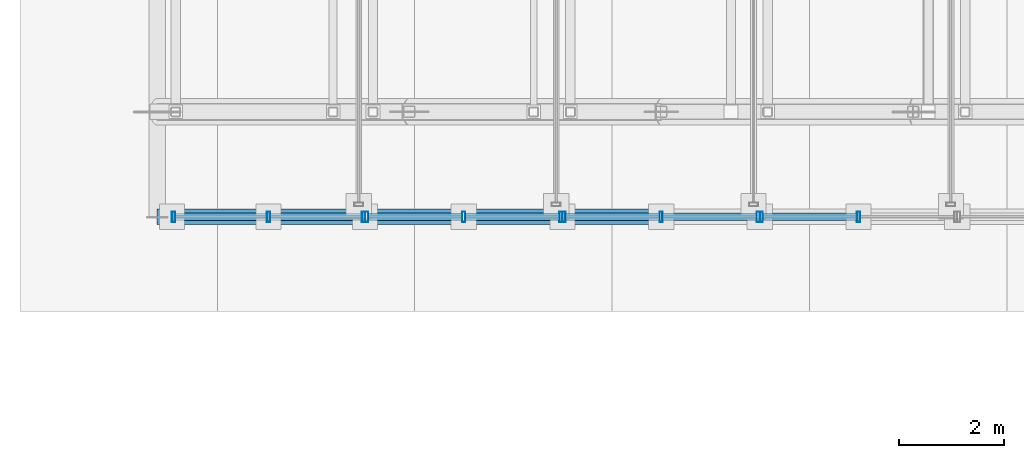
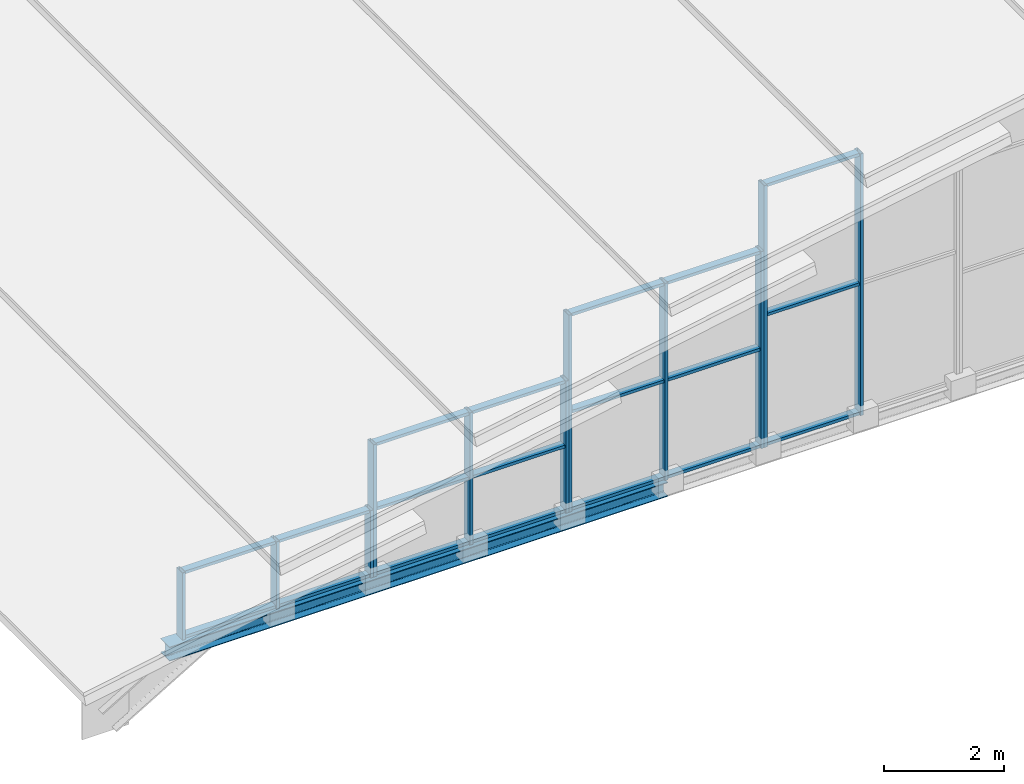
# One storey, part 1 of 117: 30 members, 1 beam, 4 elements without a shape of their own.
"""IFC4 building model written with IfcOpenShell, lengths in metres."""

from ifc_helpers import new_model, si_unit, direction, frame, origin, origin_2d, place, context, subcontext, project, spatial, hollow_rectangle, i_section, extrude, material, material_profile, profile_set, type_object, element, aggregate, save


model = new_model("IFC4")

# Units and contexts
model_context = context("Model", 3, precision=1e-05, world=origin(), true_north=direction((0.0, 1.0)))
body_context = subcontext(model_context, "Body", "Model", "MODEL_VIEW")
ifc_project = project(units=[si_unit("LENGTHUNIT", "METRE"), si_unit("AREAUNIT", "SQUARE_METRE"), si_unit("VOLUMEUNIT", "CUBIC_METRE"), si_unit("PLANEANGLEUNIT", "RADIAN"), si_unit("MASSUNIT", "GRAM", prefix="KILO")], contexts=[model_context])

# Site, building, storey
site_placement = place(None, origin())
site = spatial("IfcSite", under=ifc_project, at=site_placement, CompositionType="ELEMENT")
building_placement = place(site_placement, origin())
building = spatial("IfcBuilding", under=site, at=building_placement, Name="Merenkruunu Market Hall", CompositionType="ELEMENT")
storey_placement = place(building_placement, frame((0.0, 0.0, 22.800048828125)))
storey = spatial("IfcBuildingStorey", under=building, at=storey_placement, Name="RF", CompositionType="ELEMENT", Elevation=22.800048828125)

# Curtain wall, members
ifc_material_1 = material(Name="Powder-coated aluminium", Category="aluminium")
curtain_wall_type_1 = type_object("IfcCurtainWallType", Name="Clerestory Curtain Band CL03", PredefinedType="USERDEFINED", material=ifc_material_1)
curtain_wall_1_placement = place(storey_placement, origin())
curtain_wall_1 = element("IfcCurtainWall", 1, at=curtain_wall_1_placement, inside=storey, type_object=curtain_wall_type_1, Name="CW-RF-CWM03-037", ObjectType="CLERESTORY_BAND", PredefinedType="USERDEFINED")
ifc_material_profile_1 = material_profile(ifc_material_1, hollow_rectangle(XDim=0.06005859375, YDim=0.199951171875, WallThickness=0.0048828125, at=origin_2d()), Name="ALU 60x200x5")
ifc_profile_set_1 = profile_set([ifc_material_profile_1], Name="Powder-coated aluminium")
member_type_1 = type_object("IfcMemberType", Name="Curtain Wall Mullion CWM03", PredefinedType="MULLION", material=ifc_profile_set_1)
member_1_placement = place(storey_placement, frame((3.929931640625, 15.60009765625, -8.68994140625), z_axis=(0.0, 0.0, 1.0), x_axis=(-1.0, 0.0, 0.0)))
member_1 = element("IfcMember", 2, at=member_1_placement, type_object=member_type_1, Name="CL03 mullion 1", PredefinedType="MULLION", context=body_context, shape_type="SweptSolid", body=[
    extrude(hollow_rectangle(XDim=0.06005859375, YDim=0.199951171875, WallThickness=0.0048828125, at=origin_2d()), origin(), (0.0, 0.0, 1.0), 1.369873046875),
])
member_2_placement = place(storey_placement, frame((2.1201171875, 15.60009765625, -8.68994140625), z_axis=(0.0, 0.0, 1.0), x_axis=(-1.0, 0.0, 0.0)))
member_2 = element("IfcMember", 3, at=member_2_placement, type_object=member_type_1, Name="CL03 mullion 2", PredefinedType="MULLION", context=body_context, shape_type="SweptSolid", body=[
    extrude(hollow_rectangle(XDim=0.06005859375, YDim=0.199951171875, WallThickness=0.0048828125, at=origin_2d()), origin(), (0.0, 0.0, 1.0), 1.369873046875),
])
member_3_placement = place(storey_placement, frame((0.31005859375, 15.60009765625, -8.68994140625), z_axis=(0.0, 0.0, 1.0), x_axis=(-1.0, 0.0, 0.0)))
member_3 = element("IfcMember", 4, at=member_3_placement, type_object=member_type_1, Name="CL03 mullion 3", PredefinedType="MULLION", context=body_context, shape_type="SweptSolid", body=[
    extrude(hollow_rectangle(XDim=0.06005859375, YDim=0.199951171875, WallThickness=0.0048828125, at=origin_2d()), origin(), (0.0, 0.0, 1.0), 1.369873046875),
])

curtain_wall_type_2 = type_object("IfcCurtainWallType", Name="Glazed Curtain Wall CW17", PredefinedType="USERDEFINED", material=ifc_material_1)
curtain_wall_2_placement = place(storey_placement, origin())
curtain_wall_2 = element("IfcCurtainWall", 5, at=curtain_wall_2_placement, inside=storey, type_object=curtain_wall_type_2, Name="CW-RF-CWM03-038", ObjectType="GLAZED_FACADE", PredefinedType="USERDEFINED")
member_4_placement = place(storey_placement, frame((7.68994140625, 15.60009765625, -8.68994140625), z_axis=(0.0, 0.0, 1.0), x_axis=(-1.0, 0.0, 0.0)))
member_4 = element("IfcMember", 6, at=member_4_placement, type_object=member_type_1, Name="CW17 mullion 1", PredefinedType="MULLION", context=body_context, shape_type="SweptSolid", body=[
    extrude(hollow_rectangle(XDim=0.06005859375, YDim=0.199951171875, WallThickness=0.0048828125, at=origin_2d()), origin(), (0.0, 0.0, 1.0), 2.68994140625),
])
member_5_placement = place(storey_placement, frame((5.840087890625, 15.60009765625, -8.68994140625), z_axis=(0.0, 0.0, 1.0), x_axis=(-1.0, 0.0, 0.0)))
member_5 = element("IfcMember", 7, at=member_5_placement, type_object=member_type_1, Name="CW17 mullion 2", PredefinedType="MULLION", context=body_context, shape_type="SweptSolid", body=[
    extrude(hollow_rectangle(XDim=0.06005859375, YDim=0.199951171875, WallThickness=0.0048828125, at=origin_2d()), origin(), (0.0, 0.0, 1.0), 2.68994140625),
])
member_6_placement = place(storey_placement, frame((3.989990234375, 15.60009765625, -8.68994140625), z_axis=(0.0, 0.0, 1.0), x_axis=(-1.0, 0.0, 0.0)))
member_6 = element("IfcMember", 8, at=member_6_placement, type_object=member_type_1, Name="CW17 mullion 3", PredefinedType="MULLION", context=body_context, shape_type="SweptSolid", body=[
    extrude(hollow_rectangle(XDim=0.06005859375, YDim=0.199951171875, WallThickness=0.0048828125, at=origin_2d()), origin(), (0.0, 0.0, 1.0), 2.68994140625),
])

curtain_wall_3_placement = place(storey_placement, origin())
curtain_wall_3 = element("IfcCurtainWall", 9, at=curtain_wall_3_placement, inside=storey, type_object=curtain_wall_type_2, Name="CW-RF-CWM03-039", ObjectType="GLAZED_FACADE", PredefinedType="USERDEFINED")
member_7_placement = place(storey_placement, frame((11.449951171875, 15.60009765625, -8.68994140625), z_axis=(0.0, 0.0, 1.0), x_axis=(-1.0, 0.0, 0.0)))
member_7 = element("IfcMember", 10, at=member_7_placement, type_object=member_type_1, Name="CW17 mullion 1", PredefinedType="MULLION", context=body_context, shape_type="SweptSolid", body=[
    extrude(hollow_rectangle(XDim=0.06005859375, YDim=0.199951171875, WallThickness=0.0048828125, at=origin_2d()), origin(), (0.0, 0.0, 1.0), 4.010009765625),
])
member_8_placement = place(storey_placement, frame((9.60009765625, 15.60009765625, -8.68994140625), z_axis=(0.0, 0.0, 1.0), x_axis=(-1.0, 0.0, 0.0)))
member_8 = element("IfcMember", 11, at=member_8_placement, type_object=member_type_1, Name="CW17 mullion 2", PredefinedType="MULLION", context=body_context, shape_type="SweptSolid", body=[
    extrude(hollow_rectangle(XDim=0.06005859375, YDim=0.199951171875, WallThickness=0.0048828125, at=origin_2d()), origin(), (0.0, 0.0, 1.0), 4.010009765625),
])
member_9_placement = place(storey_placement, frame((7.75, 15.60009765625, -8.68994140625), z_axis=(0.0, 0.0, 1.0), x_axis=(-1.0, 0.0, 0.0)))
member_9 = element("IfcMember", 12, at=member_9_placement, type_object=member_type_1, Name="CW17 mullion 3", PredefinedType="MULLION", context=body_context, shape_type="SweptSolid", body=[
    extrude(hollow_rectangle(XDim=0.06005859375, YDim=0.199951171875, WallThickness=0.0048828125, at=origin_2d()), origin(), (0.0, 0.0, 1.0), 4.010009765625),
])

curtain_wall_4_placement = place(storey_placement, origin())
curtain_wall_4 = element("IfcCurtainWall", 13, at=curtain_wall_4_placement, inside=storey, type_object=curtain_wall_type_2, Name="CW-RF-CWM03-040", ObjectType="GLAZED_FACADE", PredefinedType="USERDEFINED")
member_10_placement = place(storey_placement, frame((13.360107421875, 15.60009765625, -8.68994140625), z_axis=(0.0, 0.0, 1.0), x_axis=(-1.0, 0.0, 0.0)))
member_10 = element("IfcMember", 14, at=member_10_placement, type_object=member_type_1, Name="CW17 mullion 2", PredefinedType="MULLION", context=body_context, shape_type="SweptSolid", body=[
    extrude(hollow_rectangle(XDim=0.06005859375, YDim=0.199951171875, WallThickness=0.0048828125, at=origin_2d()), origin(), (0.0, 0.0, 1.0), 5.329833984375),
])
member_11_placement = place(storey_placement, frame((11.510009765625, 15.60009765625, -8.68994140625), z_axis=(0.0, 0.0, 1.0), x_axis=(-1.0, 0.0, 0.0)))
member_11 = element("IfcMember", 15, at=member_11_placement, type_object=member_type_1, Name="CW17 mullion 3", PredefinedType="MULLION", context=body_context, shape_type="SweptSolid", body=[
    extrude(hollow_rectangle(XDim=0.06005859375, YDim=0.199951171875, WallThickness=0.0048828125, at=origin_2d()), origin(), (0.0, 0.0, 1.0), 5.329833984375),
])

# Member
ifc_material_profile_2 = material_profile(ifc_material_1, hollow_rectangle(XDim=0.06005859375, YDim=0.139892578125, WallThickness=0.00390625, at=origin_2d()), Name="ALU 60x140x4")
ifc_profile_set_2 = profile_set([ifc_material_profile_2], Name="Powder-coated aluminium")
member_type_2 = type_object("IfcMemberType", Name="Curtain Wall Transom CWT02", PredefinedType="USERDEFINED", material=ifc_profile_set_2)
member_12_placement = place(storey_placement, frame((3.89990234375, 15.60009765625, -8.66015625), z_axis=(-1.0, 0.0, 0.0), x_axis=(0.0, 0.0, 1.0)))
member_12 = element("IfcMember", 16, at=member_12_placement, type_object=member_type_2, Name="CL03 transom 1.1", ObjectType="TRANSOM", PredefinedType="USERDEFINED", context=body_context, shape_type="SweptSolid", body=[
    extrude(hollow_rectangle(XDim=0.06005859375, YDim=0.139892578125, WallThickness=0.00390625, at=origin_2d()), origin(), (0.0, 0.0, 1.0), 1.75),
])

member_13_placement = place(storey_placement, frame((3.89990234375, 15.60009765625, -7.35009765625), z_axis=(-1.0, 0.0, 0.0), x_axis=(0.0, 0.0, 1.0)))
member_13 = element("IfcMember", 17, at=member_13_placement, type_object=member_type_2, Name="CL03 transom 1.2", ObjectType="TRANSOM", PredefinedType="USERDEFINED", context=body_context, shape_type="SweptSolid", body=[
    extrude(hollow_rectangle(XDim=0.06005859375, YDim=0.139892578125, WallThickness=0.00390625, at=origin_2d()), origin(), (0.0, 0.0, 1.0), 1.75),
])

member_14_placement = place(storey_placement, frame((2.090087890625, 15.60009765625, -8.66015625), z_axis=(-1.0, 0.0, 0.0), x_axis=(0.0, 0.0, 1.0)))
member_14 = element("IfcMember", 18, at=member_14_placement, type_object=member_type_2, Name="CL03 transom 2.1", ObjectType="TRANSOM", PredefinedType="USERDEFINED", context=body_context, shape_type="SweptSolid", body=[
    extrude(hollow_rectangle(XDim=0.06005859375, YDim=0.139892578125, WallThickness=0.00390625, at=origin_2d()), origin(), (0.0, 0.0, 1.0), 1.75),
])

member_15_placement = place(storey_placement, frame((2.090087890625, 15.60009765625, -7.35009765625), z_axis=(-1.0, 0.0, 0.0), x_axis=(0.0, 0.0, 1.0)))
member_15 = element("IfcMember", 19, at=member_15_placement, type_object=member_type_2, Name="CL03 transom 2.2", ObjectType="TRANSOM", PredefinedType="USERDEFINED", context=body_context, shape_type="SweptSolid", body=[
    extrude(hollow_rectangle(XDim=0.06005859375, YDim=0.139892578125, WallThickness=0.00390625, at=origin_2d()), origin(), (0.0, 0.0, 1.0), 1.75),
])

aggregate(curtain_wall_1, [member_1, member_2, member_3, member_12, member_13, member_14, member_15])

member_16_placement = place(storey_placement, frame((7.659912109375, 15.60009765625, -8.66015625), z_axis=(-1.0, 0.0, 0.0), x_axis=(0.0, 0.0, 1.0)))
member_16 = element("IfcMember", 20, at=member_16_placement, type_object=member_type_2, Name="CW17 transom 1.1", ObjectType="TRANSOM", PredefinedType="USERDEFINED", context=body_context, shape_type="SweptSolid", body=[
    extrude(hollow_rectangle(XDim=0.06005859375, YDim=0.139892578125, WallThickness=0.00390625, at=origin_2d()), origin(), (0.0, 0.0, 1.0), 1.789794921875),
])

member_17_placement = place(storey_placement, frame((7.659912109375, 15.60009765625, -7.344970703125), z_axis=(-1.0, 0.0, 0.0), x_axis=(0.0, 0.0, 1.0)))
member_17 = element("IfcMember", 21, at=member_17_placement, type_object=member_type_2, Name="CW17 transom 1.2", ObjectType="TRANSOM", PredefinedType="USERDEFINED", context=body_context, shape_type="SweptSolid", body=[
    extrude(hollow_rectangle(XDim=0.06005859375, YDim=0.139892578125, WallThickness=0.00390625, at=origin_2d()), origin(), (0.0, 0.0, 1.0), 1.789794921875),
])

member_18_placement = place(storey_placement, frame((7.659912109375, 15.60009765625, -6.030029296875), z_axis=(-1.0, 0.0, 0.0), x_axis=(0.0, 0.0, 1.0)))
member_18 = element("IfcMember", 22, at=member_18_placement, type_object=member_type_2, Name="CW17 transom 1.3", ObjectType="TRANSOM", PredefinedType="USERDEFINED", context=body_context, shape_type="SweptSolid", body=[
    extrude(hollow_rectangle(XDim=0.06005859375, YDim=0.139892578125, WallThickness=0.00390625, at=origin_2d()), origin(), (0.0, 0.0, 1.0), 1.789794921875),
])

member_19_placement = place(storey_placement, frame((5.81005859375, 15.60009765625, -8.66015625), z_axis=(-1.0, 0.0, 0.0), x_axis=(0.0, 0.0, 1.0)))
member_19 = element("IfcMember", 23, at=member_19_placement, type_object=member_type_2, Name="CW17 transom 2.1", ObjectType="TRANSOM", PredefinedType="USERDEFINED", context=body_context, shape_type="SweptSolid", body=[
    extrude(hollow_rectangle(XDim=0.06005859375, YDim=0.139892578125, WallThickness=0.00390625, at=origin_2d()), origin(), (0.0, 0.0, 1.0), 1.7900390625),
])

member_20_placement = place(storey_placement, frame((5.81005859375, 15.60009765625, -7.344970703125), z_axis=(-1.0, 0.0, 0.0), x_axis=(0.0, 0.0, 1.0)))
member_20 = element("IfcMember", 24, at=member_20_placement, type_object=member_type_2, Name="CW17 transom 2.2", ObjectType="TRANSOM", PredefinedType="USERDEFINED", context=body_context, shape_type="SweptSolid", body=[
    extrude(hollow_rectangle(XDim=0.06005859375, YDim=0.139892578125, WallThickness=0.00390625, at=origin_2d()), origin(), (0.0, 0.0, 1.0), 1.7900390625),
])

member_21_placement = place(storey_placement, frame((5.81005859375, 15.60009765625, -6.030029296875), z_axis=(-1.0, 0.0, 0.0), x_axis=(0.0, 0.0, 1.0)))
member_21 = element("IfcMember", 25, at=member_21_placement, type_object=member_type_2, Name="CW17 transom 2.3", ObjectType="TRANSOM", PredefinedType="USERDEFINED", context=body_context, shape_type="SweptSolid", body=[
    extrude(hollow_rectangle(XDim=0.06005859375, YDim=0.139892578125, WallThickness=0.00390625, at=origin_2d()), origin(), (0.0, 0.0, 1.0), 1.7900390625),
])

aggregate(curtain_wall_2, [member_4, member_5, member_6, member_16, member_17, member_18, member_19, member_20, member_21])

member_22_placement = place(storey_placement, frame((11.419921875, 15.60009765625, -8.66015625), z_axis=(-1.0, 0.0, 0.0), x_axis=(0.0, 0.0, 1.0)))
member_22 = element("IfcMember", 26, at=member_22_placement, type_object=member_type_2, Name="CW17 transom 1.1", ObjectType="TRANSOM", PredefinedType="USERDEFINED", context=body_context, shape_type="SweptSolid", body=[
    extrude(hollow_rectangle(XDim=0.06005859375, YDim=0.139892578125, WallThickness=0.00390625, at=origin_2d()), origin(), (0.0, 0.0, 1.0), 1.7900390625),
])

member_23_placement = place(storey_placement, frame((11.419921875, 15.60009765625, -6.68505859375), z_axis=(-1.0, 0.0, 0.0), x_axis=(0.0, 0.0, 1.0)))
member_23 = element("IfcMember", 27, at=member_23_placement, type_object=member_type_2, Name="CW17 transom 1.2", ObjectType="TRANSOM", PredefinedType="USERDEFINED", context=body_context, shape_type="SweptSolid", body=[
    extrude(hollow_rectangle(XDim=0.06005859375, YDim=0.139892578125, WallThickness=0.00390625, at=origin_2d()), origin(), (0.0, 0.0, 1.0), 1.7900390625),
])

member_24_placement = place(storey_placement, frame((11.419921875, 15.60009765625, -4.7099609375), z_axis=(-1.0, 0.0, 0.0), x_axis=(0.0, 0.0, 1.0)))
member_24 = element("IfcMember", 28, at=member_24_placement, type_object=member_type_2, Name="CW17 transom 1.3", ObjectType="TRANSOM", PredefinedType="USERDEFINED", context=body_context, shape_type="SweptSolid", body=[
    extrude(hollow_rectangle(XDim=0.06005859375, YDim=0.139892578125, WallThickness=0.00390625, at=origin_2d()), origin(), (0.0, 0.0, 1.0), 1.7900390625),
])

member_25_placement = place(storey_placement, frame((9.570068359375, 15.60009765625, -8.66015625), z_axis=(-1.0, 0.0, 0.0), x_axis=(0.0, 0.0, 1.0)))
member_25 = element("IfcMember", 29, at=member_25_placement, type_object=member_type_2, Name="CW17 transom 2.1", ObjectType="TRANSOM", PredefinedType="USERDEFINED", context=body_context, shape_type="SweptSolid", body=[
    extrude(hollow_rectangle(XDim=0.06005859375, YDim=0.139892578125, WallThickness=0.00390625, at=origin_2d()), origin(), (0.0, 0.0, 1.0), 1.7900390625),
])

member_26_placement = place(storey_placement, frame((9.570068359375, 15.60009765625, -6.68505859375), z_axis=(-1.0, 0.0, 0.0), x_axis=(0.0, 0.0, 1.0)))
member_26 = element("IfcMember", 30, at=member_26_placement, type_object=member_type_2, Name="CW17 transom 2.2", ObjectType="TRANSOM", PredefinedType="USERDEFINED", context=body_context, shape_type="SweptSolid", body=[
    extrude(hollow_rectangle(XDim=0.06005859375, YDim=0.139892578125, WallThickness=0.00390625, at=origin_2d()), origin(), (0.0, 0.0, 1.0), 1.7900390625),
])

member_27_placement = place(storey_placement, frame((9.570068359375, 15.60009765625, -4.7099609375), z_axis=(-1.0, 0.0, 0.0), x_axis=(0.0, 0.0, 1.0)))
member_27 = element("IfcMember", 31, at=member_27_placement, type_object=member_type_2, Name="CW17 transom 2.3", ObjectType="TRANSOM", PredefinedType="USERDEFINED", context=body_context, shape_type="SweptSolid", body=[
    extrude(hollow_rectangle(XDim=0.06005859375, YDim=0.139892578125, WallThickness=0.00390625, at=origin_2d()), origin(), (0.0, 0.0, 1.0), 1.7900390625),
])

aggregate(curtain_wall_3, [member_7, member_8, member_9, member_22, member_23, member_24, member_25, member_26, member_27])

member_28_placement = place(storey_placement, frame((13.330078125, 15.60009765625, -8.66015625), z_axis=(-1.0, 0.0, 0.0), x_axis=(0.0, 0.0, 1.0)))
member_28 = element("IfcMember", 32, at=member_28_placement, type_object=member_type_2, Name="CW17 transom 2.1", ObjectType="TRANSOM", PredefinedType="USERDEFINED", context=body_context, shape_type="SweptSolid", body=[
    extrude(hollow_rectangle(XDim=0.06005859375, YDim=0.139892578125, WallThickness=0.00390625, at=origin_2d()), origin(), (0.0, 0.0, 1.0), 1.7900390625),
])

member_29_placement = place(storey_placement, frame((13.330078125, 15.60009765625, -6.025146484375), z_axis=(-1.0, 0.0, 0.0), x_axis=(0.0, 0.0, 1.0)))
member_29 = element("IfcMember", 33, at=member_29_placement, type_object=member_type_2, Name="CW17 transom 2.2", ObjectType="TRANSOM", PredefinedType="USERDEFINED", context=body_context, shape_type="SweptSolid", body=[
    extrude(hollow_rectangle(XDim=0.06005859375, YDim=0.139892578125, WallThickness=0.00390625, at=origin_2d()), origin(), (0.0, 0.0, 1.0), 1.7900390625),
])

member_30_placement = place(storey_placement, frame((13.330078125, 15.60009765625, -3.39013671875), z_axis=(-1.0, 0.0, 0.0), x_axis=(0.0, 0.0, 1.0)))
member_30 = element("IfcMember", 34, at=member_30_placement, type_object=member_type_2, Name="CW17 transom 2.3", ObjectType="TRANSOM", PredefinedType="USERDEFINED", context=body_context, shape_type="SweptSolid", body=[
    extrude(hollow_rectangle(XDim=0.06005859375, YDim=0.139892578125, WallThickness=0.00390625, at=origin_2d()), origin(), (0.0, 0.0, 1.0), 1.7900390625),
])

aggregate(curtain_wall_4, [member_10, member_11, member_28, member_29, member_30])

# Beam
ifc_material_2 = material(Name="Steel S355J2", Category="steel")
ifc_material_profile_3 = material_profile(ifc_material_2, i_section(OverallWidth=0.300048828125, OverallDepth=0.2900390625, WebThickness=0.008544921875, FlangeThickness=0.013916015625, FilletRadius=0.027099609375, at=origin_2d()), Name="HEA 300")
ifc_profile_set_3 = profile_set([ifc_material_profile_3], Name="Steel S355J2")
beam_type = type_object("IfcBeamType", Name="Primary Floor Girder B09", PredefinedType="BEAM", material=ifc_profile_set_3)
beam_placement = place(storey_placement, frame((0.0, 15.60009765625, -8.844970703125), z_axis=(1.0, 0.0, 0.0), x_axis=(0.0, 1.0, 0.0)))
element("IfcBeam", 35, at=beam_placement, inside=storey, type_object=beam_type, Name="BM-RF-B09-1239", PredefinedType="BEAM", context=body_context, shape_type="SweptSolid", body=[
    extrude(i_section(OverallWidth=0.300048828125, OverallDepth=0.2900390625, WebThickness=0.008544921875, FlangeThickness=0.013916015625, FilletRadius=0.027099609375, at=origin_2d()), origin(), (0.0, 0.0, 1.0), 9.60009765625),
])

save(model, "model.ifc")
